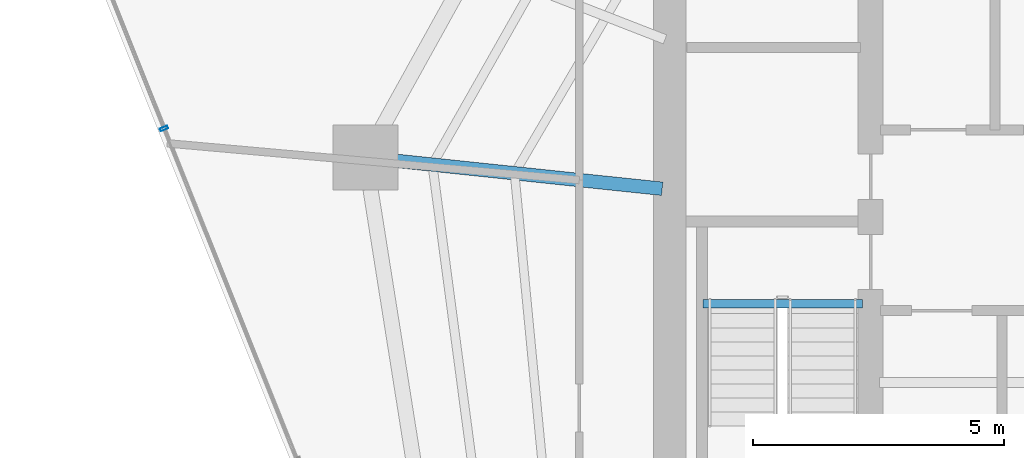
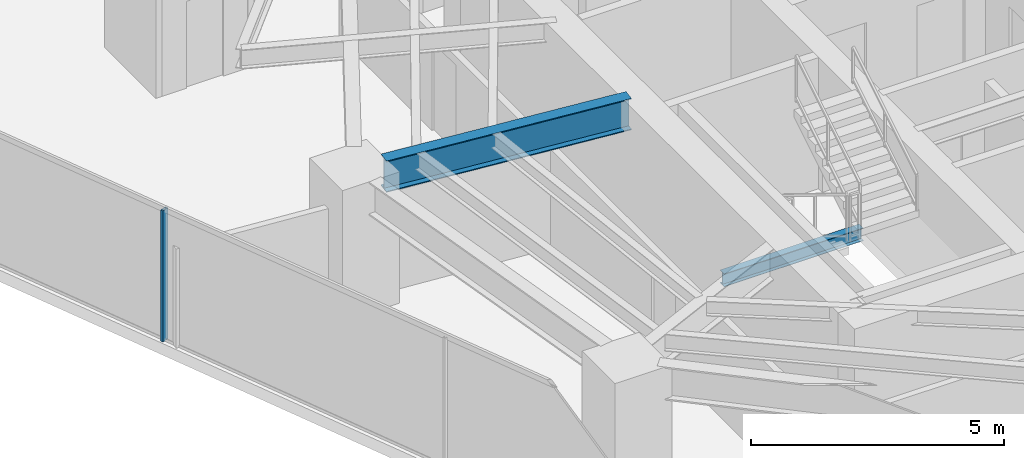
# One storey, part 9 of 32: 2 beams, 1 member, 1 element without a shape of its own.
"""IFC4 building model written with IfcOpenShell, lengths in metres."""

import ifcopenshell
import ifcopenshell.guid

model = None  # the IFC model being written
_history = None  # IfcOwnerHistory: only IFC2X3 demands one
_inside = {}  # id of a spatial element -> (the spatial element, [elements in it])
_under = {}  # id of a project, library or spatial element -> (it, [spatial elements below it])
_declared = {}  # id of a project -> (the project, [libraries it declares])
_typed = {}  # id of a type object -> (the type object, [elements of that type])
_made_of = {}  # id of a material, layer set ... -> (it, [elements and type objects made of it])


def new_model(schema):
    """Start an empty IFC model of exactly this schema.

    Asked for "IFC4X3", IfcOpenShell would pick the latest addendum, in which some entities
    have other attributes; the version numbers below select the first issue.
    IFC2X3 requires an IfcOwnerHistory on every rooted entity: one is made here for all.
    """
    global model, _history
    if schema == "IFC4X3":
        model = ifcopenshell.file(schema_version=(4, 3, 0, 0))
    else:
        model = ifcopenshell.file(schema=schema)
    _inside.clear()
    _under.clear()
    _declared.clear()
    _typed.clear()
    _made_of.clear()
    _history = None
    if model.schema == "IFC2X3":
        org = make("IfcOrganization", Name="unknown")
        user = make(
            "IfcPersonAndOrganization",
            ThePerson=make("IfcPerson", FamilyName="unknown"),
            TheOrganization=org,
        )
        app = make(
            "IfcApplication",
            ApplicationDeveloper=org,
            Version="unknown",
            ApplicationFullName="unknown",
            ApplicationIdentifier="unknown",
        )
        _history = make(
            "IfcOwnerHistory",
            OwningUser=user,
            OwningApplication=app,
            ChangeAction="ADDED",
            CreationDate=0,
        )
    return model


def make(cls, **values):
    """One entity of the class cls with the attributes given. An attribute that is None is left unset."""
    return model.create_entity(
        cls, **{name: value for name, value in values.items() if value is not None}
    )


def rooted(cls, **values):
    """An entity with a GlobalId (a new one), such as an element, a storey or a relation."""
    return make(cls, GlobalId=ifcopenshell.guid.new(), OwnerHistory=_history, **values)


def si_unit(unit_type, name, prefix=None):
    """IfcSIUnit, for example si_unit("LENGTHUNIT", "METRE", prefix="MILLI")."""
    return make("IfcSIUnit", UnitType=unit_type, Prefix=prefix, Name=name)


def assignment(units):
    """IfcUnitAssignment: the units of a project."""
    return None if units is None else make("IfcUnitAssignment", Units=units)


def point(xyz):
    """IfcCartesianPoint."""
    return None if xyz is None else make("IfcCartesianPoint", Coordinates=xyz)


def direction(xyz):
    """IfcDirection."""
    return None if xyz is None else make("IfcDirection", DirectionRatios=xyz)


def frame(location, z_axis=None, x_axis=None):
    """IfcAxis2Placement3D, a coordinate frame: its origin and axes. An axis left out is left unset."""
    return make(
        "IfcAxis2Placement3D",
        Location=point(location),
        Axis=direction(z_axis),
        RefDirection=direction(x_axis),
    )


def frame_2d(location, x_axis=None):
    """IfcAxis2Placement2D, a coordinate frame in the plane: its origin and x axis."""
    return make(
        "IfcAxis2Placement2D", Location=point(location), RefDirection=direction(x_axis)
    )


def origin():
    """The frame at (0, 0, 0) with its axes left unset."""
    return frame((0.0, 0.0, 0.0))


def origin_2d():
    """The frame at (0, 0) in the plane with its x axis left unset."""
    return frame_2d((0.0, 0.0))


def place(relative_to, where):
    """IfcLocalPlacement: puts the frame where relative to a parent placement (None: the world)."""
    return make(
        "IfcLocalPlacement", PlacementRelTo=relative_to, RelativePlacement=where
    )


def context(
    kind, dimensions, precision=None, world=None, true_north=None, identifier=None
):
    """IfcGeometricRepresentationContext, for example the 3D "Model" context."""
    return make(
        "IfcGeometricRepresentationContext",
        ContextIdentifier=identifier,
        ContextType=kind,
        CoordinateSpaceDimension=dimensions,
        Precision=precision,
        WorldCoordinateSystem=world,
        TrueNorth=true_north,
    )


def subcontext(parent, identifier, kind, view, scale=None):
    """IfcGeometricRepresentationSubContext, for example "Body" below "Model"."""
    return make(
        "IfcGeometricRepresentationSubContext",
        ContextIdentifier=identifier,
        ContextType=kind,
        ParentContext=parent,
        TargetScale=scale,
        TargetView=view,
    )


def project(units=None, contexts=None):
    """IfcProject with its units and contexts."""
    return rooted(
        "IfcProject",
        Name="project",
        RepresentationContexts=contexts,
        UnitsInContext=assignment(units),
    )


def spatial(cls, under=None, at=None, **own):
    """A site, building, storey or space (cls), placed at a placement, below another one or the project."""
    s = rooted(cls, ObjectPlacement=at, **own)
    if under is not None:
        _under.setdefault(under.id(), (under, []))[1].append(s)
    return s


def profile(cls, at=None, kind="AREA", **sizes):
    """A parametric profile (cls). Its sizes go by their IFC names, for example OverallWidth=200.0."""
    return make(cls, ProfileType=kind, Position=at, **sizes)


def hollow_rectangle(**sizes):
    """IfcRectangleHollowProfileDef."""
    return profile("IfcRectangleHollowProfileDef", **sizes)


def i_section(**sizes):
    """IfcIShapeProfileDef."""
    return profile("IfcIShapeProfileDef", **sizes)


def extrude(swept, where, along, depth):
    """IfcExtrudedAreaSolid: the profile swept, set in the frame where, extruded along a direction by depth."""
    return make(
        "IfcExtrudedAreaSolid",
        SweptArea=swept,
        Position=where,
        ExtrudedDirection=direction(along),
        Depth=depth,
    )


def shape(context_of_items, identifier, shape_type, items):
    """IfcShapeRepresentation: the items that make up one representation, for example the "Body"."""
    return make(
        "IfcShapeRepresentation",
        ContextOfItems=context_of_items,
        RepresentationIdentifier=identifier,
        RepresentationType=shape_type,
        Items=items,
    )


def material(Name=None, Category=None):
    """IfcMaterial."""
    return make("IfcMaterial", Name=Name, Category=Category)


def layer(
    of_material, thickness, ventilated=None, Name=None, Category=None, Priority=None
):
    """IfcMaterialLayer: one layer of a wall or slab, of a material (None: an air gap)."""
    return make(
        "IfcMaterialLayer",
        Material=of_material,
        LayerThickness=thickness,
        IsVentilated=ventilated,
        Name=Name,
        Category=Category,
        Priority=Priority,
    )


def layer_set(layers, Name=None):
    """IfcMaterialLayerSet."""
    return make("IfcMaterialLayerSet", MaterialLayers=layers, LayerSetName=Name)


def material_profile(
    of_material, cross_section, Name=None, Category=None, Priority=None
):
    """IfcMaterialProfile: a cross section and its material."""
    return make(
        "IfcMaterialProfile",
        Name=Name,
        Material=of_material,
        Profile=cross_section,
        Priority=Priority,
        Category=Category,
    )


def profile_set(profiles, Name=None, composite=None):
    """IfcMaterialProfileSet."""
    return make(
        "IfcMaterialProfileSet",
        Name=Name,
        MaterialProfiles=profiles,
        CompositeProfile=composite,
    )


def made_of(thing, what):
    """Note that an element or type object is made of a material, layer set ...; save() writes the relation."""
    if what is not None:
        _made_of.setdefault(what.id(), (what, []))[1].append(thing)
    return thing


def type_object(cls, material=None, **own):
    """A type object (cls), such as IfcWallType, which elements share."""
    return made_of(rooted(cls, **own), material)


def element(
    cls,
    number,
    at=None,
    inside=None,
    cuts=None,
    type_object=None,
    material=None,
    context=None,
    identifier="Body",
    shape_type=None,
    held_by="IfcProductDefinitionShape",
    body=None,
    shapes=None,
    **own,
):
    """One element of the class cls, such as IfcWall. Its Tag is "e" and its number.

    at: its placement. inside: the storey or other place that contains it. cuts: it is an
    opening in that element (IfcRelVoidsElement). A single representation is given by context,
    identifier, shape_type and body (its items); several are given by shapes. held_by: the class
    of the entity that holds the representations. save() writes the other relations.
    """
    e = rooted(cls, Tag="e%d" % number, ObjectPlacement=at, **own)
    if body is not None:
        shapes = [shape(context, identifier, shape_type, body)]
    if shapes is not None:
        e.Representation = make(held_by, Representations=shapes)
    if inside is not None:
        _inside.setdefault(inside.id(), (inside, []))[1].append(e)
    if cuts is not None:
        rooted(
            "IfcRelVoidsElement", RelatingBuildingElement=cuts, RelatedOpeningElement=e
        )
    if type_object is not None:
        _typed.setdefault(type_object.id(), (type_object, []))[1].append(e)
    return made_of(e, material)


def aggregate(whole, parts):
    """IfcRelAggregates: a whole, such as a stair, and the parts it consists of."""
    return rooted("IfcRelAggregates", RelatingObject=whole, RelatedObjects=parts)


def save(model, path):
    """Write the relations noted so far, then the file.

    IfcRelAggregates (storeys below a building ...), IfcRelContainedInSpatialStructure (elements
    in a storey), IfcRelDefinesByType, IfcRelAssociatesMaterial and IfcRelDeclares: one each for
    every whole, place, type object, material and project.
    """
    for whole, parts in _under.values():
        aggregate(whole, parts)
    for where, things in _inside.values():
        rooted(
            "IfcRelContainedInSpatialStructure",
            RelatedElements=things,
            RelatingStructure=where,
        )
    for kind, things in _typed.values():
        rooted("IfcRelDefinesByType", RelatedObjects=things, RelatingType=kind)
    for what, things in _made_of.values():
        rooted("IfcRelAssociatesMaterial", RelatedObjects=things, RelatingMaterial=what)
    for by, libraries in _declared.values():
        rooted("IfcRelDeclares", RelatingContext=by, RelatedDefinitions=libraries)
    model.write(path)


model = new_model("IFC4")

# Units and contexts
model_context = context("Model", 3, precision=1e-05, world=origin(), true_north=direction((0.0, 1.0)))
body_context = subcontext(model_context, "Body", "Model", "MODEL_VIEW")
ifc_project = project(units=[si_unit("LENGTHUNIT", "METRE"), si_unit("AREAUNIT", "SQUARE_METRE"), si_unit("VOLUMEUNIT", "CUBIC_METRE"), si_unit("PLANEANGLEUNIT", "RADIAN"), si_unit("MASSUNIT", "GRAM", prefix="KILO")], contexts=[model_context])

# Site, building, storey
site_placement = place(None, origin())
site = spatial("IfcSite", under=ifc_project, at=site_placement, CompositionType="ELEMENT")
building_placement = place(site_placement, origin())
building = spatial("IfcBuilding", under=site, at=building_placement, Name="Qarnah Convention Tower", CompositionType="ELEMENT")
storey_placement = place(building_placement, frame((0.0, 0.0, 37.35009765625)))
storey = spatial("IfcBuildingStorey", under=building, at=storey_placement, Name="L08", CompositionType="ELEMENT", Elevation=37.35009765625)

# Beams
ifc_material_1 = material(Name="Structural steel S355JR", Category="steel")
ifc_material_profile_1 = material_profile(ifc_material_1, i_section(OverallWidth=0.166015625, OverallDepth=0.31201171875, WebThickness=0.007080078125, FlangeThickness=0.010986328125, at=origin_2d()), Name="W310X45")
ifc_profile_set_1 = profile_set([ifc_material_profile_1], Name="Structural steel S355JR")
beam_type_1 = type_object("IfcBeamType", Name="BM-JST-W310", PredefinedType="JOIST", material=ifc_profile_set_1)
beam_1_placement = place(storey_placement, frame((27.4599609375, 25.217041015625, -0.156005859375), z_axis=(1.0, 0.0, 0.0), x_axis=(0.0, 1.0, 0.0)))
element("IfcBeam", 1, at=beam_1_placement, inside=storey, type_object=beam_type_1, Name="L08 stair landing trimmer beam BM-L08-ST1-TRM", PredefinedType="BEAM", context=body_context, shape_type="SweptSolid", body=[
    extrude(i_section(OverallWidth=0.166015625, OverallDepth=0.31201171875, WebThickness=0.007080078125, FlangeThickness=0.010986328125, at=origin_2d()), origin(), (0.0, 0.0, 1.0), 3.179931640625),
])
ifc_material_profile_2 = material_profile(ifc_material_1, i_section(OverallWidth=0.26806640625, OverallDepth=0.760009765625, WebThickness=0.014892578125, FlangeThickness=0.02197265625, at=origin_2d()), Name="W760X185")
ifc_profile_set_2 = profile_set([ifc_material_profile_2], Name="Structural steel S355JR")
beam_type_2 = type_object("IfcBeamType", Name="BM-RAD-W760", PredefinedType="BEAM", material=ifc_profile_set_2)
beam_2_placement = place(storey_placement, frame((26.65087890625, 27.509033203125, 2.789794921875), z_axis=(-0.99452834613, 0.10446707014, 0.0), x_axis=(-0.10446707014, -0.99452834613, 0.0)))
element("IfcBeam", 2, at=beam_2_placement, inside=storey, type_object=beam_type_2, Name="L08 beam BM-L08-RAD-05", PredefinedType="BEAM", context=body_context, shape_type="SweptSolid", body=[
    extrude(i_section(OverallWidth=0.26806640625, OverallDepth=0.760009765625, WebThickness=0.014892578125, FlangeThickness=0.02197265625, at=origin_2d()), origin(), (0.0, 0.0, 1.0), 5.31201171875),
])

# Curtain wall, member
ifc_material_2 = material(Name="Tempered Low-E dark glass", Category="glass")
ifc_layer = layer(ifc_material_2, 0.16796875)
ifc_layer_set = layer_set([ifc_layer], Name="Tempered Low-E dark glass")
curtain_wall_type = type_object("IfcCurtainWallType", Name="CWS-01", PredefinedType="NOTDEFINED", material=ifc_layer_set)
curtain_wall_placement = place(storey_placement, origin())
curtain_wall = element("IfcCurtainWall", 3, at=curtain_wall_placement, inside=storey, type_object=curtain_wall_type, Name="L08 unitised curtain wall CW-L08-F1", PredefinedType="NOTDEFINED")
ifc_material_3 = material(Name="Black anodised aluminium", Category="aluminium")
ifc_material_profile_3 = material_profile(ifc_material_3, hollow_rectangle(XDim=0.06005859375, YDim=0.159912109375, WallThickness=0.00390625, at=origin_2d()), Name="MUL-60X160")
ifc_profile_set_3 = profile_set([ifc_material_profile_3], Name="Black anodised aluminium")
member_type = type_object("IfcMemberType", Name="MUL-T1", PredefinedType="MULLION", material=ifc_profile_set_3)
member_placement = place(storey_placement, frame((16.72607421875, 28.70947265625, 0.0), z_axis=(0.0, 0.0, 1.0), x_axis=(-0.372016711815, 0.92822603181, 0.0)))
member = element("IfcMember", 4, at=member_placement, type_object=member_type, Name="CW-L08-F1 mullion 5", PredefinedType="MULLION", context=body_context, shape_type="SweptSolid", body=[
    extrude(hollow_rectangle(XDim=0.06005859375, YDim=0.159912109375, WallThickness=0.00390625, at=origin_2d()), origin(), (0.0, 0.0, 1.0), 3.169921875),
])
aggregate(curtain_wall, [member])

save(model, "model.ifc")
